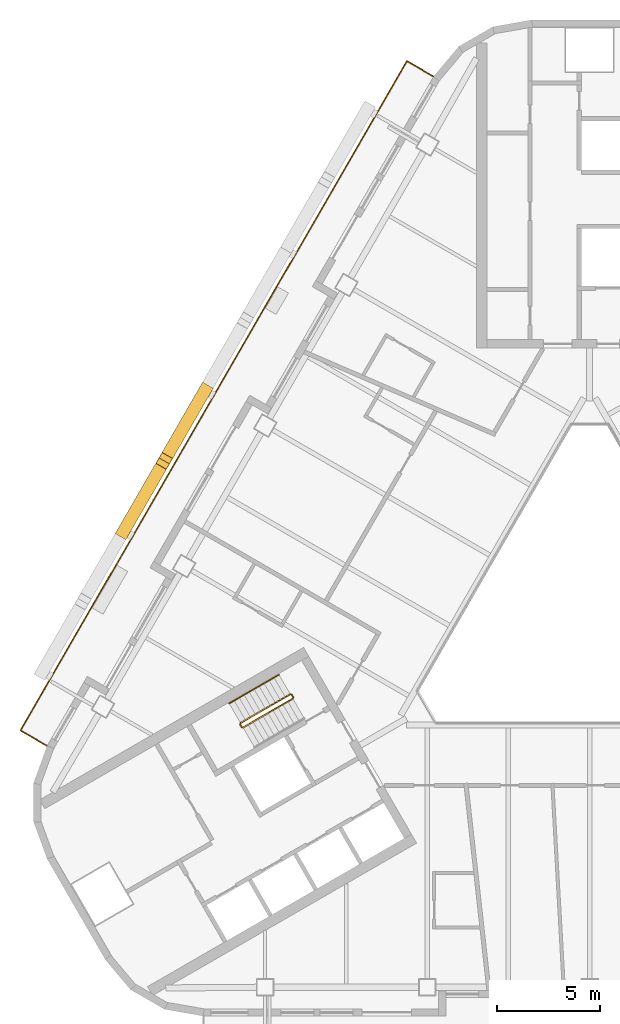
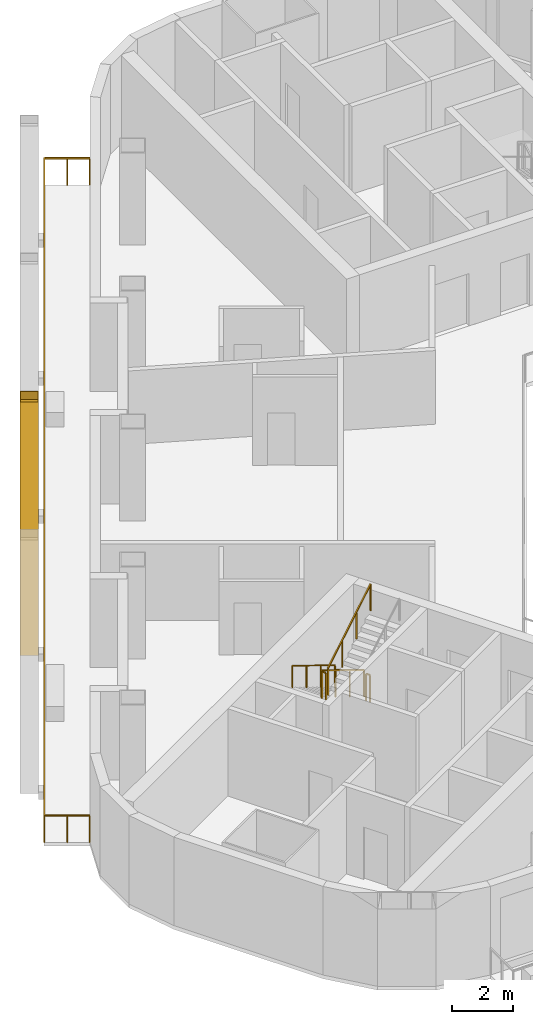
# One storey, part 9 of 13: 6 railings, 2 shading devices.
"""IFC4 building model written with IfcOpenShell, lengths in metres."""

from ifc_helpers import new_model, si_unit, direction, frame, origin, origin_2d, place, context, subcontext, project, spatial, rectangle, hollow_rectangle, circle, extrude, material, material_profile, profile_set, type_object, element, save


model = new_model("IFC4")

# Units and contexts
model_context = context("Model", 3, precision=1e-05, world=origin(), true_north=direction((0.0, 1.0)))
body_context = subcontext(model_context, "Body", "Model", "MODEL_VIEW")
ifc_project = project(units=[si_unit("LENGTHUNIT", "METRE"), si_unit("AREAUNIT", "SQUARE_METRE"), si_unit("VOLUMEUNIT", "CUBIC_METRE"), si_unit("PLANEANGLEUNIT", "RADIAN"), si_unit("MASSUNIT", "GRAM", prefix="KILO")], contexts=[model_context])

# Site, building, storey
site_placement = place(None, origin())
site = spatial("IfcSite", under=ifc_project, at=site_placement, CompositionType="ELEMENT")
building_placement = place(site_placement, origin())
building = spatial("IfcBuilding", under=site, at=building_placement, Name="Apuvela Tower Hotel", CompositionType="ELEMENT")
storey_placement = place(building_placement, frame((0.0, 0.0, 161.39990234375)))
storey = spatial("IfcBuildingStorey", under=building, at=storey_placement, Name="L38", CompositionType="ELEMENT", Elevation=161.39990234375)

# Railings
ifc_material_1 = material(Name="Steel S275 balustrade", Category="steel")
railing_type_1 = type_object("IfcRailingType", Name="COR-GUARD-1100", PredefinedType="GUARDRAIL", material=ifc_material_1)
railing_1_placement = place(storey_placement, frame((-14.569091796875, -3.9658203125, 0.168212890625)))
element("IfcRailing", 1, at=railing_1_placement, inside=storey, type_object=railing_type_1, Name="L38 ST2 stair guard 1", PredefinedType="GUARDRAIL", context=body_context, shape_type="SweptSolid", body=[
    extrude(rectangle(XDim=0.048095703125, YDim=0.048095703125, at=origin_2d()), frame((0.0, 0.0, 1.076171875), z_axis=(-0.742390482028, -0.42860119049, 0.514934356695), x_axis=(0.49998411664, -0.866034573852, 0.0)), (0.0, 0.0, 1.0), 3.26611328125),
    extrude(rectangle(XDim=0.0419921875, YDim=0.0419921875, at=origin_2d()), origin(), (0.0, 0.0, 1.0), 1.052001953125),
    extrude(rectangle(XDim=0.0419921875, YDim=0.0419921875, at=origin_2d()), frame((-0.808349609375, -0.466552734375, 0.560546875)), (0.0, 0.0, 1.0), 1.052001953125),
    extrude(rectangle(XDim=0.0419921875, YDim=0.0419921875, at=origin_2d()), frame((-1.616455078125, -0.933349609375, 1.121337890625)), (0.0, 0.0, 1.0), 1.052001953125),
    extrude(rectangle(XDim=0.0419921875, YDim=0.0419921875, at=origin_2d()), frame((-2.4248046875, -1.39990234375, 1.681884765625)), (0.0, 0.0, 1.0), 1.052001953125),
])
railing_2_placement = place(storey_placement, frame((-17.01220703125, -5.43408203125, 1.85009765625)))
element("IfcRailing", 2, at=railing_2_placement, inside=storey, type_object=railing_type_1, Name="L38 ST2 stair guard 2", PredefinedType="GUARDRAIL", context=body_context, shape_type="SweptSolid", body=[
    extrude(rectangle(XDim=0.048095703125, YDim=0.048095703125, at=origin_2d()), frame((0.0, 0.0, 1.076171875), z_axis=(0.499816412211, -0.866131372301, 0.0), x_axis=(0.866131372301, 0.499816412211, 0.0)), (0.0, 0.0, 1.0), 0.14990234375),
    extrude(rectangle(XDim=0.0419921875, YDim=0.0419921875, at=origin_2d()), origin(), (0.0, 0.0, 1.0), 1.052001953125),
    extrude(rectangle(XDim=0.0419921875, YDim=0.0419921875, at=origin_2d()), frame((0.074951171875, -0.1298828125, 0.0)), (0.0, 0.0, 1.0), 1.052001953125),
])
railing_3_placement = place(storey_placement, frame((-16.868896484375, -5.582275390625, 2.018310546875)))
element("IfcRailing", 3, at=railing_3_placement, inside=storey, type_object=railing_type_1, Name="L38 ST2 stair guard 3", PredefinedType="GUARDRAIL", context=body_context, shape_type="SweptSolid", body=[
    extrude(rectangle(XDim=0.048095703125, YDim=0.048095703125, at=origin_2d()), frame((0.0, 0.0, 1.076171875), z_axis=(0.742390482028, 0.42860119049, 0.514934356695), x_axis=(-0.49998411664, 0.866034573852, 0.0)), (0.0, 0.0, 1.0), 3.26611328125),
    extrude(rectangle(XDim=0.0419921875, YDim=0.0419921875, at=origin_2d()), origin(), (0.0, 0.0, 1.0), 1.052001953125),
    extrude(rectangle(XDim=0.0419921875, YDim=0.0419921875, at=origin_2d()), frame((0.808349609375, 0.466552734375, 0.560546875)), (0.0, 0.0, 1.0), 1.052001953125),
    extrude(rectangle(XDim=0.0419921875, YDim=0.0419921875, at=origin_2d()), frame((1.616455078125, 0.933349609375, 1.121337890625)), (0.0, 0.0, 1.0), 1.052001953125),
    extrude(rectangle(XDim=0.0419921875, YDim=0.0419921875, at=origin_2d()), frame((2.4248046875, 1.39990234375, 1.681884765625)), (0.0, 0.0, 1.0), 1.052001953125),
])
railing_4_placement = place(storey_placement, frame((-14.500732421875, -3.984130859375, 0.0)))
element("IfcRailing", 4, at=railing_4_placement, inside=storey, type_object=railing_type_1, Name="L38 ST2 stair guard 4", PredefinedType="GUARDRAIL", context=body_context, shape_type="SweptSolid", body=[
    extrude(rectangle(XDim=0.048095703125, YDim=0.048095703125, at=origin_2d()), frame((0.0, 0.0, 1.076171875), z_axis=(0.499816412211, -0.866131372301, 0.0), x_axis=(0.866131372301, 0.499816412211, 0.0)), (0.0, 0.0, 1.0), 0.14990234375),
    extrude(rectangle(XDim=0.0419921875, YDim=0.0419921875, at=origin_2d()), origin(), (0.0, 0.0, 1.0), 1.052001953125),
    extrude(rectangle(XDim=0.0419921875, YDim=0.0419921875, at=origin_2d()), frame((0.074951171875, -0.1298828125, 0.0)), (0.0, 0.0, 1.0), 1.052001953125),
])
ifc_material_2 = material(Name="Stainless steel 316 handrail", Category="steel")
railing_type_2 = type_object("IfcRailingType", Name="COR-HANDRAIL-900", PredefinedType="HANDRAIL", material=ifc_material_2)
railing_5_placement = place(storey_placement, frame((-15.118896484375, -3.01318359375, 0.168212890625)))
element("IfcRailing", 5, at=railing_5_placement, inside=storey, type_object=railing_type_2, Name="L38 ST2 stair handrail 1", PredefinedType="HANDRAIL", context=body_context, shape_type="SweptSolid", body=[
    extrude(circle(Radius=0.02392578125, at=origin_2d()), frame((0.0, 0.0, 0.8759765625), z_axis=(-0.742424030051, -0.428577407461, 0.514905783049), x_axis=(0.49994636267, -0.866056369097, 0.0)), (0.0, 0.0, 1.0), 3.266357421875),
    extrude(rectangle(XDim=0.0419921875, YDim=0.0419921875, at=origin_2d()), origin(), (0.0, 0.0, 1.0), 0.851806640625),
    extrude(rectangle(XDim=0.0419921875, YDim=0.0419921875, at=origin_2d()), frame((-0.808349609375, -0.466552734375, 0.560546875)), (0.0, 0.0, 1.0), 0.851806640625),
    extrude(rectangle(XDim=0.0419921875, YDim=0.0419921875, at=origin_2d()), frame((-1.61669921875, -0.933349609375, 1.121337890625)), (0.0, 0.0, 1.0), 0.851806640625),
    extrude(rectangle(XDim=0.0419921875, YDim=0.0419921875, at=origin_2d()), frame((-2.425048828125, -1.39990234375, 1.681884765625)), (0.0, 0.0, 1.0), 0.851806640625),
])

# Shading devices
ifc_material_3 = material(Name="Aluminium 6063-T6, black anodised", Category="aluminium")
ifc_material_profile = material_profile(ifc_material_3, hollow_rectangle(XDim=0.60009765625, YDim=0.699951171875, WallThickness=0.011962890625, at=origin_2d()), Name="AL BOX 700x600x12")
ifc_profile_set = profile_set([ifc_material_profile], Name="Aluminium 6063-T6, black anodised")
shading_device_type = type_object("IfcShadingDeviceType", Name="ENV-FIN-700x600", PredefinedType="USERDEFINED", material=ifc_profile_set)
shading_device_1_placement = place(storey_placement, frame((-18.732177734375, 10.81494140625, -0.099853515625), z_axis=(-0.235436388043, -0.407800622186, 0.882195193667), x_axis=(0.866032218625, -0.499988196164, 0.0)))
element("IfcShadingDevice", 6, at=shading_device_1_placement, inside=storey, type_object=shading_device_type, Name="Lattice fin NW405", ObjectType="FIN", PredefinedType="USERDEFINED", context=body_context, shape_type="SweptSolid", body=[
    extrude(hollow_rectangle(XDim=0.60009765625, YDim=0.699951171875, WallThickness=0.011962890625, at=origin_2d()), origin(), (0.0, 0.0, 1.0), 8.387939453125),
])
shading_device_2_placement = place(storey_placement, frame((-22.68212890625, 3.973388671875, -0.099853515625), z_axis=(0.235461085354, 0.407822092458, 0.882178677019), x_axis=(-0.866020906874, 0.500007788796, 0.0)))
element("IfcShadingDevice", 7, at=shading_device_2_placement, inside=storey, type_object=shading_device_type, Name="Lattice fin NW406", ObjectType="FIN", PredefinedType="USERDEFINED", context=body_context, shape_type="SweptSolid", body=[
    extrude(hollow_rectangle(XDim=0.60009765625, YDim=0.699951171875, WallThickness=0.011962890625, at=origin_2d()), origin(), (0.0, 0.0, 1.0), 8.38818359375),
])

# Railing
ifc_material_4 = material(Name="Stainless steel 316 rail with laminated glass infill", Category="steel")
railing_type_3 = type_object("IfcRailingType", Name="ENV-GUARD-1100", PredefinedType="GUARDRAIL", material=ifc_material_4)
railing_6_placement = place(storey_placement, frame((-7.59228515625, 26.110107421875, 0.0)))
element("IfcRailing", 8, at=railing_6_placement, inside=storey, type_object=railing_type_3, Name="Balcony guard NW L38", PredefinedType="GUARDRAIL", context=body_context, shape_type="SweptSolid", body=[
    extrude(rectangle(XDim=0.050048828125, YDim=0.050048828125, at=origin_2d()), frame((0.0, 0.0, 1.0751953125), z_axis=(-0.86599040064, 0.500060622324, 0.0), x_axis=(-0.500060622324, -0.86599040064, 0.0)), (0.0, 0.0, 1.0), 1.499755859375),
    extrude(rectangle(XDim=0.050048828125, YDim=0.050048828125, at=origin_2d()), frame((-1.298828125, 0.75, 1.0751953125), z_axis=(-0.500000437506, -0.86602515119, 0.0), x_axis=(0.86602515119, -0.500000437506, 0.0)), (0.0, 0.0, 1.0), 37.6318359375),
    extrude(rectangle(XDim=0.050048828125, YDim=0.050048828125, at=origin_2d()), frame((-20.11474609375, -31.840087890625, 1.0751953125), z_axis=(0.866031096941, -0.499990139034, 0.0), x_axis=(0.499990139034, 0.866031096941, 0.0)), (0.0, 0.0, 1.0), 1.5),
    extrude(rectangle(XDim=0.0400390625, YDim=0.0400390625, at=origin_2d()), origin(), (0.0, 0.0, 1.0), 1.050048828125),
    extrude(rectangle(XDim=0.0400390625, YDim=0.0400390625, at=origin_2d()), frame((-0.6494140625, 0.375, 0.0)), (0.0, 0.0, 1.0), 1.050048828125),
    extrude(rectangle(XDim=0.0400390625, YDim=0.0400390625, at=origin_2d()), frame((-1.298828125, 0.75, 0.0)), (0.0, 0.0, 1.0), 1.050048828125),
    extrude(rectangle(XDim=0.0400390625, YDim=0.0400390625, at=origin_2d()), frame((-1.88671875, -0.2685546875, 0.0)), (0.0, 0.0, 1.0), 1.050048828125),
    extrude(rectangle(XDim=0.0400390625, YDim=0.0400390625, at=origin_2d()), frame((-2.474853515625, -1.286865234375, 0.0)), (0.0, 0.0, 1.0), 1.050048828125),
    extrude(rectangle(XDim=0.0400390625, YDim=0.0400390625, at=origin_2d()), frame((-3.062744140625, -2.305419921875, 0.0)), (0.0, 0.0, 1.0), 1.050048828125),
    extrude(rectangle(XDim=0.0400390625, YDim=0.0400390625, at=origin_2d()), frame((-3.65087890625, -3.32373046875, 0.0)), (0.0, 0.0, 1.0), 1.050048828125),
    extrude(rectangle(XDim=0.0400390625, YDim=0.0400390625, at=origin_2d()), frame((-4.23876953125, -4.34228515625, 0.0)), (0.0, 0.0, 1.0), 1.050048828125),
    extrude(rectangle(XDim=0.0400390625, YDim=0.0400390625, at=origin_2d()), frame((-4.826904296875, -5.360595703125, 0.0)), (0.0, 0.0, 1.0), 1.050048828125),
    extrude(rectangle(XDim=0.0400390625, YDim=0.0400390625, at=origin_2d()), frame((-5.414794921875, -6.379150390625, 0.0)), (0.0, 0.0, 1.0), 1.050048828125),
    extrude(rectangle(XDim=0.0400390625, YDim=0.0400390625, at=origin_2d()), frame((-6.0029296875, -7.3974609375, 0.0)), (0.0, 0.0, 1.0), 1.050048828125),
    extrude(rectangle(XDim=0.0400390625, YDim=0.0400390625, at=origin_2d()), frame((-6.5908203125, -8.416015625, 0.0)), (0.0, 0.0, 1.0), 1.050048828125),
    extrude(rectangle(XDim=0.0400390625, YDim=0.0400390625, at=origin_2d()), frame((-7.1787109375, -9.434326171875, 0.0)), (0.0, 0.0, 1.0), 1.050048828125),
    extrude(rectangle(XDim=0.0400390625, YDim=0.0400390625, at=origin_2d()), frame((-7.766845703125, -10.452880859375, 0.0)), (0.0, 0.0, 1.0), 1.050048828125),
    extrude(rectangle(XDim=0.0400390625, YDim=0.0400390625, at=origin_2d()), frame((-8.354736328125, -11.47119140625, 0.0)), (0.0, 0.0, 1.0), 1.050048828125),
    extrude(rectangle(XDim=0.0400390625, YDim=0.0400390625, at=origin_2d()), frame((-8.94287109375, -12.48974609375, 0.0)), (0.0, 0.0, 1.0), 1.050048828125),
    extrude(rectangle(XDim=0.0400390625, YDim=0.0400390625, at=origin_2d()), frame((-9.53076171875, -13.508056640625, 0.0)), (0.0, 0.0, 1.0), 1.050048828125),
    extrude(rectangle(XDim=0.0400390625, YDim=0.0400390625, at=origin_2d()), frame((-10.118896484375, -14.526611328125, 0.0)), (0.0, 0.0, 1.0), 1.050048828125),
    extrude(rectangle(XDim=0.0400390625, YDim=0.0400390625, at=origin_2d()), frame((-10.706787109375, -15.544921875, 0.0)), (0.0, 0.0, 1.0), 1.050048828125),
    extrude(rectangle(XDim=0.0400390625, YDim=0.0400390625, at=origin_2d()), frame((-11.294677734375, -16.5634765625, 0.0)), (0.0, 0.0, 1.0), 1.050048828125),
    extrude(rectangle(XDim=0.0400390625, YDim=0.0400390625, at=origin_2d()), frame((-11.8828125, -17.58203125, 0.0)), (0.0, 0.0, 1.0), 1.050048828125),
    extrude(rectangle(XDim=0.0400390625, YDim=0.0400390625, at=origin_2d()), frame((-12.470703125, -18.600341796875, 0.0)), (0.0, 0.0, 1.0), 1.050048828125),
    extrude(rectangle(XDim=0.0400390625, YDim=0.0400390625, at=origin_2d()), frame((-13.058837890625, -19.618896484375, 0.0)), (0.0, 0.0, 1.0), 1.050048828125),
    extrude(rectangle(XDim=0.0400390625, YDim=0.0400390625, at=origin_2d()), frame((-13.646728515625, -20.63720703125, 0.0)), (0.0, 0.0, 1.0), 1.050048828125),
    extrude(rectangle(XDim=0.0400390625, YDim=0.0400390625, at=origin_2d()), frame((-14.23486328125, -21.65576171875, 0.0)), (0.0, 0.0, 1.0), 1.050048828125),
    extrude(rectangle(XDim=0.0400390625, YDim=0.0400390625, at=origin_2d()), frame((-14.82275390625, -22.674072265625, 0.0)), (0.0, 0.0, 1.0), 1.050048828125),
    extrude(rectangle(XDim=0.0400390625, YDim=0.0400390625, at=origin_2d()), frame((-15.41064453125, -23.692626953125, 0.0)), (0.0, 0.0, 1.0), 1.050048828125),
    extrude(rectangle(XDim=0.0400390625, YDim=0.0400390625, at=origin_2d()), frame((-15.998779296875, -24.7109375, 0.0)), (0.0, 0.0, 1.0), 1.050048828125),
    extrude(rectangle(XDim=0.0400390625, YDim=0.0400390625, at=origin_2d()), frame((-16.586669921875, -25.7294921875, 0.0)), (0.0, 0.0, 1.0), 1.050048828125),
    extrude(rectangle(XDim=0.0400390625, YDim=0.0400390625, at=origin_2d()), frame((-17.1748046875, -26.747802734375, 0.0)), (0.0, 0.0, 1.0), 1.050048828125),
    extrude(rectangle(XDim=0.0400390625, YDim=0.0400390625, at=origin_2d()), frame((-17.7626953125, -27.766357421875, 0.0)), (0.0, 0.0, 1.0), 1.050048828125),
    extrude(rectangle(XDim=0.0400390625, YDim=0.0400390625, at=origin_2d()), frame((-18.350830078125, -28.78466796875, 0.0)), (0.0, 0.0, 1.0), 1.050048828125),
    extrude(rectangle(XDim=0.0400390625, YDim=0.0400390625, at=origin_2d()), frame((-18.938720703125, -29.80322265625, 0.0)), (0.0, 0.0, 1.0), 1.050048828125),
    extrude(rectangle(XDim=0.0400390625, YDim=0.0400390625, at=origin_2d()), frame((-19.52685546875, -30.821533203125, 0.0)), (0.0, 0.0, 1.0), 1.050048828125),
    extrude(rectangle(XDim=0.0400390625, YDim=0.0400390625, at=origin_2d()), frame((-20.11474609375, -31.840087890625, 0.0)), (0.0, 0.0, 1.0), 1.050048828125),
    extrude(rectangle(XDim=0.0400390625, YDim=0.0400390625, at=origin_2d()), frame((-19.46533203125, -32.215087890625, 0.0)), (0.0, 0.0, 1.0), 1.050048828125),
    extrude(rectangle(XDim=0.0400390625, YDim=0.0400390625, at=origin_2d()), frame((-18.815673828125, -32.590087890625, 0.0)), (0.0, 0.0, 1.0), 1.050048828125),
])

save(model, "model.ifc")
